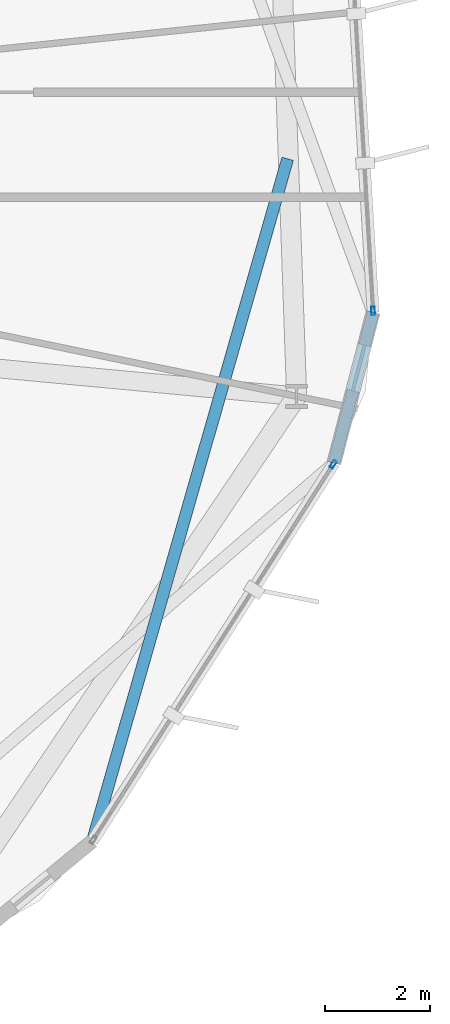
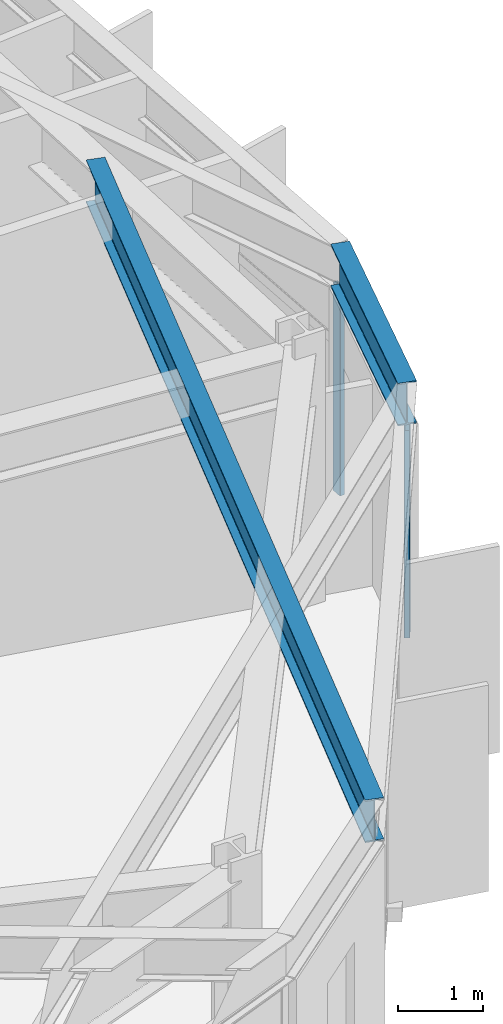
# One storey, part 10 of 22: 2 beams, 2 members, 2 elements without a shape of their own.
"""IFC4 building model written with IfcOpenShell, lengths in metres."""

import ifcopenshell
import ifcopenshell.guid

model = None  # the IFC model being written
_history = None  # IfcOwnerHistory: only IFC2X3 demands one
_inside = {}  # id of a spatial element -> (the spatial element, [elements in it])
_under = {}  # id of a project, library or spatial element -> (it, [spatial elements below it])
_declared = {}  # id of a project -> (the project, [libraries it declares])
_typed = {}  # id of a type object -> (the type object, [elements of that type])
_made_of = {}  # id of a material, layer set ... -> (it, [elements and type objects made of it])


def new_model(schema):
    """Start an empty IFC model of exactly this schema.

    Asked for "IFC4X3", IfcOpenShell would pick the latest addendum, in which some entities
    have other attributes; the version numbers below select the first issue.
    IFC2X3 requires an IfcOwnerHistory on every rooted entity: one is made here for all.
    """
    global model, _history
    if schema == "IFC4X3":
        model = ifcopenshell.file(schema_version=(4, 3, 0, 0))
    else:
        model = ifcopenshell.file(schema=schema)
    _inside.clear()
    _under.clear()
    _declared.clear()
    _typed.clear()
    _made_of.clear()
    _history = None
    if model.schema == "IFC2X3":
        org = make("IfcOrganization", Name="unknown")
        user = make(
            "IfcPersonAndOrganization",
            ThePerson=make("IfcPerson", FamilyName="unknown"),
            TheOrganization=org,
        )
        app = make(
            "IfcApplication",
            ApplicationDeveloper=org,
            Version="unknown",
            ApplicationFullName="unknown",
            ApplicationIdentifier="unknown",
        )
        _history = make(
            "IfcOwnerHistory",
            OwningUser=user,
            OwningApplication=app,
            ChangeAction="ADDED",
            CreationDate=0,
        )
    return model


def make(cls, **values):
    """One entity of the class cls with the attributes given. An attribute that is None is left unset."""
    return model.create_entity(
        cls, **{name: value for name, value in values.items() if value is not None}
    )


def rooted(cls, **values):
    """An entity with a GlobalId (a new one), such as an element, a storey or a relation."""
    return make(cls, GlobalId=ifcopenshell.guid.new(), OwnerHistory=_history, **values)


def si_unit(unit_type, name, prefix=None):
    """IfcSIUnit, for example si_unit("LENGTHUNIT", "METRE", prefix="MILLI")."""
    return make("IfcSIUnit", UnitType=unit_type, Prefix=prefix, Name=name)


def assignment(units):
    """IfcUnitAssignment: the units of a project."""
    return None if units is None else make("IfcUnitAssignment", Units=units)


def point(xyz):
    """IfcCartesianPoint."""
    return None if xyz is None else make("IfcCartesianPoint", Coordinates=xyz)


def direction(xyz):
    """IfcDirection."""
    return None if xyz is None else make("IfcDirection", DirectionRatios=xyz)


def frame(location, z_axis=None, x_axis=None):
    """IfcAxis2Placement3D, a coordinate frame: its origin and axes. An axis left out is left unset."""
    return make(
        "IfcAxis2Placement3D",
        Location=point(location),
        Axis=direction(z_axis),
        RefDirection=direction(x_axis),
    )


def frame_2d(location, x_axis=None):
    """IfcAxis2Placement2D, a coordinate frame in the plane: its origin and x axis."""
    return make(
        "IfcAxis2Placement2D", Location=point(location), RefDirection=direction(x_axis)
    )


def origin():
    """The frame at (0, 0, 0) with its axes left unset."""
    return frame((0.0, 0.0, 0.0))


def origin_2d():
    """The frame at (0, 0) in the plane with its x axis left unset."""
    return frame_2d((0.0, 0.0))


def place(relative_to, where):
    """IfcLocalPlacement: puts the frame where relative to a parent placement (None: the world)."""
    return make(
        "IfcLocalPlacement", PlacementRelTo=relative_to, RelativePlacement=where
    )


def context(
    kind, dimensions, precision=None, world=None, true_north=None, identifier=None
):
    """IfcGeometricRepresentationContext, for example the 3D "Model" context."""
    return make(
        "IfcGeometricRepresentationContext",
        ContextIdentifier=identifier,
        ContextType=kind,
        CoordinateSpaceDimension=dimensions,
        Precision=precision,
        WorldCoordinateSystem=world,
        TrueNorth=true_north,
    )


def subcontext(parent, identifier, kind, view, scale=None):
    """IfcGeometricRepresentationSubContext, for example "Body" below "Model"."""
    return make(
        "IfcGeometricRepresentationSubContext",
        ContextIdentifier=identifier,
        ContextType=kind,
        ParentContext=parent,
        TargetScale=scale,
        TargetView=view,
    )


def project(units=None, contexts=None):
    """IfcProject with its units and contexts."""
    return rooted(
        "IfcProject",
        Name="project",
        RepresentationContexts=contexts,
        UnitsInContext=assignment(units),
    )


def spatial(cls, under=None, at=None, **own):
    """A site, building, storey or space (cls), placed at a placement, below another one or the project."""
    s = rooted(cls, ObjectPlacement=at, **own)
    if under is not None:
        _under.setdefault(under.id(), (under, []))[1].append(s)
    return s


def profile(cls, at=None, kind="AREA", **sizes):
    """A parametric profile (cls). Its sizes go by their IFC names, for example OverallWidth=200.0."""
    return make(cls, ProfileType=kind, Position=at, **sizes)


def hollow_rectangle(**sizes):
    """IfcRectangleHollowProfileDef."""
    return profile("IfcRectangleHollowProfileDef", **sizes)


def i_section(**sizes):
    """IfcIShapeProfileDef."""
    return profile("IfcIShapeProfileDef", **sizes)


def extrude(swept, where, along, depth):
    """IfcExtrudedAreaSolid: the profile swept, set in the frame where, extruded along a direction by depth."""
    return make(
        "IfcExtrudedAreaSolid",
        SweptArea=swept,
        Position=where,
        ExtrudedDirection=direction(along),
        Depth=depth,
    )


def shape(context_of_items, identifier, shape_type, items):
    """IfcShapeRepresentation: the items that make up one representation, for example the "Body"."""
    return make(
        "IfcShapeRepresentation",
        ContextOfItems=context_of_items,
        RepresentationIdentifier=identifier,
        RepresentationType=shape_type,
        Items=items,
    )


def material(Name=None, Category=None):
    """IfcMaterial."""
    return make("IfcMaterial", Name=Name, Category=Category)


def layer(
    of_material, thickness, ventilated=None, Name=None, Category=None, Priority=None
):
    """IfcMaterialLayer: one layer of a wall or slab, of a material (None: an air gap)."""
    return make(
        "IfcMaterialLayer",
        Material=of_material,
        LayerThickness=thickness,
        IsVentilated=ventilated,
        Name=Name,
        Category=Category,
        Priority=Priority,
    )


def layer_set(layers, Name=None):
    """IfcMaterialLayerSet."""
    return make("IfcMaterialLayerSet", MaterialLayers=layers, LayerSetName=Name)


def material_profile(
    of_material, cross_section, Name=None, Category=None, Priority=None
):
    """IfcMaterialProfile: a cross section and its material."""
    return make(
        "IfcMaterialProfile",
        Name=Name,
        Material=of_material,
        Profile=cross_section,
        Priority=Priority,
        Category=Category,
    )


def profile_set(profiles, Name=None, composite=None):
    """IfcMaterialProfileSet."""
    return make(
        "IfcMaterialProfileSet",
        Name=Name,
        MaterialProfiles=profiles,
        CompositeProfile=composite,
    )


def made_of(thing, what):
    """Note that an element or type object is made of a material, layer set ...; save() writes the relation."""
    if what is not None:
        _made_of.setdefault(what.id(), (what, []))[1].append(thing)
    return thing


def type_object(cls, material=None, **own):
    """A type object (cls), such as IfcWallType, which elements share."""
    return made_of(rooted(cls, **own), material)


def element(
    cls,
    number,
    at=None,
    inside=None,
    cuts=None,
    type_object=None,
    material=None,
    context=None,
    identifier="Body",
    shape_type=None,
    held_by="IfcProductDefinitionShape",
    body=None,
    shapes=None,
    **own,
):
    """One element of the class cls, such as IfcWall. Its Tag is "e" and its number.

    at: its placement. inside: the storey or other place that contains it. cuts: it is an
    opening in that element (IfcRelVoidsElement). A single representation is given by context,
    identifier, shape_type and body (its items); several are given by shapes. held_by: the class
    of the entity that holds the representations. save() writes the other relations.
    """
    e = rooted(cls, Tag="e%d" % number, ObjectPlacement=at, **own)
    if body is not None:
        shapes = [shape(context, identifier, shape_type, body)]
    if shapes is not None:
        e.Representation = make(held_by, Representations=shapes)
    if inside is not None:
        _inside.setdefault(inside.id(), (inside, []))[1].append(e)
    if cuts is not None:
        rooted(
            "IfcRelVoidsElement", RelatingBuildingElement=cuts, RelatedOpeningElement=e
        )
    if type_object is not None:
        _typed.setdefault(type_object.id(), (type_object, []))[1].append(e)
    return made_of(e, material)


def aggregate(whole, parts):
    """IfcRelAggregates: a whole, such as a stair, and the parts it consists of."""
    return rooted("IfcRelAggregates", RelatingObject=whole, RelatedObjects=parts)


def save(model, path):
    """Write the relations noted so far, then the file.

    IfcRelAggregates (storeys below a building ...), IfcRelContainedInSpatialStructure (elements
    in a storey), IfcRelDefinesByType, IfcRelAssociatesMaterial and IfcRelDeclares: one each for
    every whole, place, type object, material and project.
    """
    for whole, parts in _under.values():
        aggregate(whole, parts)
    for where, things in _inside.values():
        rooted(
            "IfcRelContainedInSpatialStructure",
            RelatedElements=things,
            RelatingStructure=where,
        )
    for kind, things in _typed.values():
        rooted("IfcRelDefinesByType", RelatedObjects=things, RelatingType=kind)
    for what, things in _made_of.values():
        rooted("IfcRelAssociatesMaterial", RelatedObjects=things, RelatingMaterial=what)
    for by, libraries in _declared.values():
        rooted("IfcRelDeclares", RelatingContext=by, RelatedDefinitions=libraries)
    model.write(path)


model = new_model("IFC4")

# Units and contexts
model_context = context("Model", 3, precision=1e-05, world=origin(), true_north=direction((0.0, 1.0)))
body_context = subcontext(model_context, "Body", "Model", "MODEL_VIEW")
ifc_project = project(units=[si_unit("LENGTHUNIT", "METRE"), si_unit("AREAUNIT", "SQUARE_METRE"), si_unit("VOLUMEUNIT", "CUBIC_METRE"), si_unit("PLANEANGLEUNIT", "RADIAN"), si_unit("MASSUNIT", "GRAM", prefix="KILO")], contexts=[model_context])

# Site, building, storey
site_placement = place(None, origin())
site = spatial("IfcSite", under=ifc_project, at=site_placement, CompositionType="ELEMENT")
building_placement = place(site_placement, origin())
building = spatial("IfcBuilding", under=site, at=building_placement, Name="Soratama Intermodal Tower", CompositionType="ELEMENT")
storey_placement = place(building_placement, frame((0.0, 0.0, 110.800048828125)))
storey = spatial("IfcBuildingStorey", under=building, at=storey_placement, Name="L26", CompositionType="ELEMENT", Elevation=110.800048828125)

# Beams
ifc_material_1 = material(Name="Structural steel ASTM A992 Grade 50", Category="steel")
ifc_material_profile_1 = material_profile(ifc_material_1, i_section(OverallWidth=0.22900390625, OverallDepth=0.612060546875, WebThickness=0.011962890625, FlangeThickness=0.01953125, FilletRadius=0.012939453125, at=origin_2d()), Name="W24X84")
ifc_profile_set_1 = profile_set([ifc_material_profile_1], Name="Structural steel ASTM A992 Grade 50")
beam_type_1 = type_object("IfcBeamType", Name="BM-SPN-W24X84", PredefinedType="SPANDREL", material=ifc_profile_set_1)
beam_1_placement = place(storey_placement, frame((62.43798828125, 18.930908203125, 3.2939453125), z_axis=(0.25181884621, 0.967774389356, 0.0), x_axis=(-0.967774389356, 0.25181884621, 0.0)))
element("IfcBeam", 1, at=beam_1_placement, inside=storey, type_object=beam_type_1, Name="BS-L26-CRN09", PredefinedType="SPANDREL", context=body_context, shape_type="SweptSolid", body=[
    extrude(i_section(OverallWidth=0.22900390625, OverallDepth=0.612060546875, WebThickness=0.011962890625, FlangeThickness=0.01953125, FilletRadius=0.012939453125, at=origin_2d()), origin(), (0.0, 0.0, 1.0), 2.966796875),
])
ifc_material_2 = material(Name="Structural steel ASTM A992 Grade 50", Category="steel")
ifc_material_profile_2 = material_profile(ifc_material_2, i_section(OverallWidth=0.22900390625, OverallDepth=0.612060546875, WebThickness=0.011962890625, FlangeThickness=0.01953125, FilletRadius=0.012939453125, at=origin_2d()), Name="W24X84")
ifc_profile_set_2 = profile_set([ifc_material_profile_2], Name="Structural steel ASTM A992 Grade 50")
beam_type_2 = type_object("IfcBeamType", Name="BM-TIE-W24X84", PredefinedType="BEAM", material=ifc_profile_set_2)
beam_2_placement = place(storey_placement, frame((61.555908203125, 24.73095703125, 3.2939453125), z_axis=(-0.275176321196, -0.961393775855, 0.0), x_axis=(0.961393775855, -0.275176321196, 0.0)))
element("IfcBeam", 2, at=beam_2_placement, inside=storey, type_object=beam_type_2, Name="BM-L26-TIE0-09", PredefinedType="BEAM", context=body_context, shape_type="SweptSolid", body=[
    extrude(i_section(OverallWidth=0.22900390625, OverallDepth=0.612060546875, WebThickness=0.011962890625, FlangeThickness=0.01953125, FilletRadius=0.012939453125, at=origin_2d()), origin(), (0.0, 0.0, 1.0), 13.529052734375),
])

# Curtain wall, member
ifc_material_3 = material(Name="Double-glazed aluminium curtain wall", Category="aluminium")
ifc_layer = layer(ifc_material_3, 0.159912109375)
ifc_layer_set = layer_set([ifc_layer], Name="Double-glazed aluminium curtain wall")
curtain_wall_type = type_object("IfcCurtainWallType", Name="CW-SYS-3", PredefinedType="NOTDEFINED", material=ifc_layer_set)
curtain_wall_1_placement = place(storey_placement, origin())
curtain_wall_1 = element("IfcCurtainWall", 3, at=curtain_wall_1_placement, inside=storey, type_object=curtain_wall_type, Name="L26 Faceted Curtain Wall F09", PredefinedType="NOTDEFINED")
ifc_material_4 = material(Name="Anodised aluminium AA 6063-T6", Category="aluminium")
ifc_material_profile_3 = material_profile(ifc_material_4, hollow_rectangle(XDim=0.070068359375, YDim=0.159912109375, WallThickness=0.0048828125, InnerFilletRadius=0.0048828125, OuterFilletRadius=0.010009765625, at=origin_2d()), Name="CWM160X70X5")
ifc_profile_set_3 = profile_set([ifc_material_profile_3], Name="Anodised aluminium AA 6063-T6")
member_type = type_object("IfcMemberType", Name="MT-CWM-3", PredefinedType="MULLION", material=ifc_profile_set_3)
member_1_placement = place(storey_placement, frame((62.42236328125, 18.90625, 0.0), z_axis=(0.0, 0.0, 1.0), x_axis=(-0.842639380895, 0.538478294608, 0.0)))
member_1 = element("IfcMember", 4, at=member_1_placement, type_object=member_type, Name="CW-3 mullion 2", PredefinedType="MULLION", context=body_context, shape_type="SweptSolid", body=[
    extrude(hollow_rectangle(XDim=0.070068359375, YDim=0.159912109375, WallThickness=0.0048828125, InnerFilletRadius=0.0048828125, OuterFilletRadius=0.010009765625, at=origin_2d()), origin(), (0.0, 0.0, 1.0), 2.97900390625),
])
aggregate(curtain_wall_1, [member_1])

curtain_wall_2_placement = place(storey_placement, origin())
curtain_wall_2 = element("IfcCurtainWall", 5, at=curtain_wall_2_placement, inside=storey, type_object=curtain_wall_type, Name="L26 Faceted Curtain Wall F10", PredefinedType="NOTDEFINED")
member_2_placement = place(storey_placement, frame((63.18359375, 21.83251953125, 0.0), z_axis=(0.0, 0.0, 1.0), x_axis=(-0.998218658473, -0.059661628176, 0.0)))
member_2 = element("IfcMember", 6, at=member_2_placement, type_object=member_type, Name="CW-3 mullion 1", PredefinedType="MULLION", context=body_context, shape_type="SweptSolid", body=[
    extrude(hollow_rectangle(XDim=0.070068359375, YDim=0.159912109375, WallThickness=0.0048828125, InnerFilletRadius=0.0048828125, OuterFilletRadius=0.010009765625, at=origin_2d()), origin(), (0.0, 0.0, 1.0), 2.97900390625),
])
aggregate(curtain_wall_2, [member_2])

save(model, "model.ifc")
